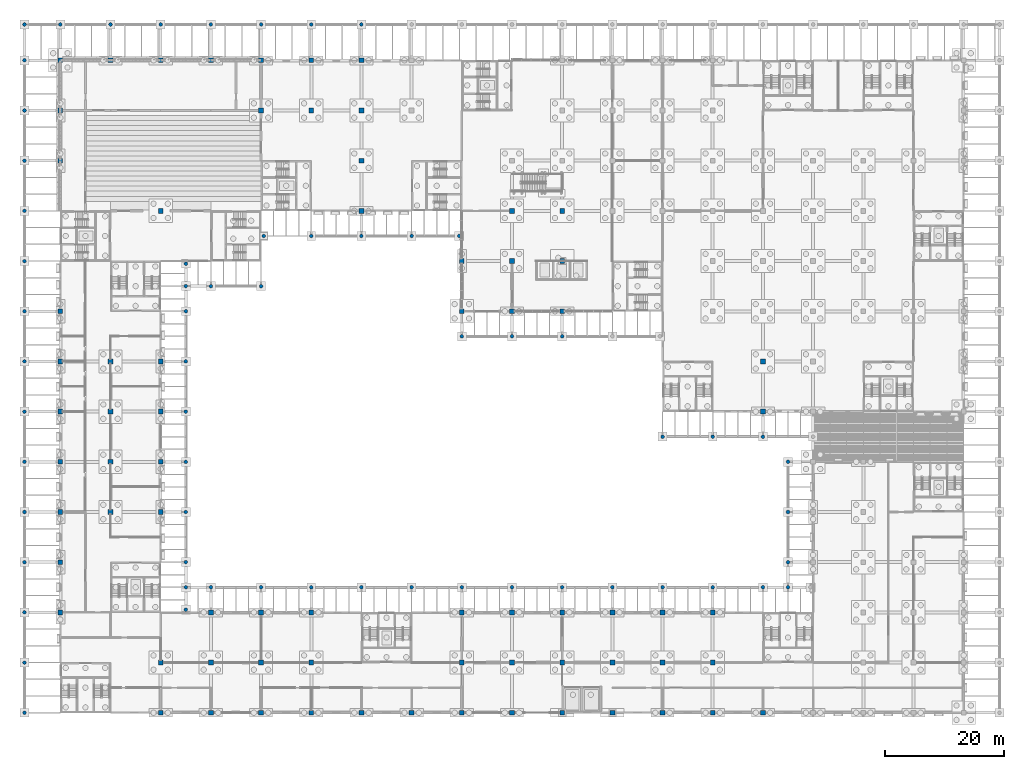
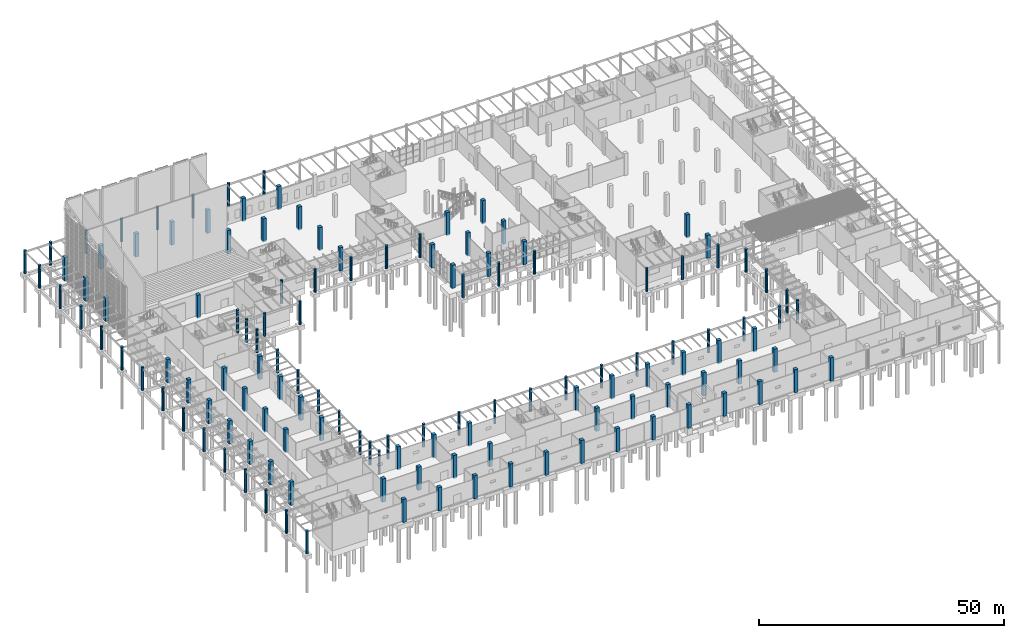
# One storey, part 6 of 82: 133 columns.
"""IFC4 building model written with IfcOpenShell, lengths in metres."""

from ifc_helpers import new_model, si_unit, direction, frame, origin, origin_2d, place, context, subcontext, project, spatial, rectangle, circle, extrude, material, material_profile, profile_set, type_object, element, save


model = new_model("IFC4")

# Units and contexts
model_context = context("Model", 3, precision=1e-05, world=origin(), true_north=direction((0.0, 1.0)))
body_context = subcontext(model_context, "Body", "Model", "MODEL_VIEW")
ifc_project = project(units=[si_unit("LENGTHUNIT", "METRE"), si_unit("AREAUNIT", "SQUARE_METRE"), si_unit("VOLUMEUNIT", "CUBIC_METRE"), si_unit("PLANEANGLEUNIT", "RADIAN"), si_unit("MASSUNIT", "GRAM", prefix="KILO")], contexts=[model_context])

# Site, building, storey
site_placement = place(None, origin())
site = spatial("IfcSite", under=ifc_project, at=site_placement, CompositionType="ELEMENT")
building_placement = place(site_placement, origin())
building = spatial("IfcBuilding", under=site, at=building_placement, Name="Almond Square Museum", CompositionType="ELEMENT")
storey_placement = place(building_placement, origin())
storey = spatial("IfcBuildingStorey", under=building, at=storey_placement, Name="L00", CompositionType="ELEMENT", Elevation=0.0)

# Columns
ifc_material_1 = material(Name="Concrete C40/50", Category="concrete")
ifc_material_profile_1 = material_profile(ifc_material_1, rectangle(XDim=0.800048828125, YDim=0.800048828125, at=origin_2d()))
ifc_profile_set_1 = profile_set([ifc_material_profile_1], Name="Concrete C40/50")
column_type_1 = type_object("IfcColumnType", Name="RC column 800 x 800 C40/50", PredefinedType="COLUMN", material=ifc_profile_set_1)
for number, where, z_axis, x_axis, name in (
    (1, (6.0, 16.800048828125, -0.300048828125), (0.0, 0.0, 1.0), (1.0, 0.0, 0.0), "Column 2-C L00"),
    (2, (6.0, 25.199951171875, -0.300048828125), (0.0, 0.0, 1.0), (1.0, 0.0, 0.0), "Column 2-D L00"),
    (3, (6.0, 33.60009765625, -0.300048828125), (0.0, 0.0, 1.0), (1.0, 0.0, 0.0), "Column 2-E L00"),
    (4, (6.0, 42.0, -0.300048828125), (0.0, 0.0, 1.0), (1.0, 0.0, 0.0), "Column 2-F L00"),
    (5, (6.0, 50.39990234375, -0.300048828125), (0.0, 0.0, 1.0), (1.0, 0.0, 0.0), "Column 2-G L00"),
    (6, (6.0, 58.800048828125, -0.300048828125), (0.0, 0.0, 1.0), (1.0, 0.0, 0.0), "Column 2-H L00"),
    (7, (6.0, 67.199951171875, -0.300048828125), (0.0, 0.0, 1.0), (1.0, 0.0, 0.0), "Column 2-I L00"),
    (8, (6.0, 92.39990234375, -0.300048828125), (0.0, 0.0, 1.0), (1.0, 0.0, 0.0), "Column 2-L L00"),
    (9, (6.0, 100.800048828125, -0.300048828125), (0.0, 0.0, 1.0), (1.0, 0.0, 0.0), "Column 2-M L00"),
    (10, (6.0, 109.199951171875, -0.300048828125), (0.0, 0.0, 1.0), (1.0, 0.0, 0.0), "Column 2-N L00"),
    (11, (14.39990234375, 33.60009765625, -0.300048828125), (0.0, 0.0, 1.0), (1.0, 0.0, 0.0), "Column 3-E L00"),
    (12, (14.39990234375, 42.0, -0.300048828125), (0.0, 0.0, 1.0), (1.0, 0.0, 0.0), "Column 3-F L00"),
    (13, (14.39990234375, 50.39990234375, -0.300048828125), (0.0, 0.0, 1.0), (1.0, 0.0, 0.0), "Column 3-G L00"),
    (14, (14.39990234375, 58.800048828125, -0.300048828125), (0.0, 0.0, 1.0), (1.0, 0.0, 0.0), "Column 3-H L00"),
    (15, (14.39990234375, 109.199951171875, -0.300048828125), (0.0, 0.0, 1.0), (1.0, 0.0, 0.0), "Column 3-N L00"),
    (16, (22.800048828125, 0.0, -0.300048828125), (0.0, 0.0, 1.0), (1.0, 0.0, 0.0), "Column 4-A L00"),
    (17, (22.800048828125, 8.39990234375, -0.300048828125), (0.0, 0.0, 1.0), (1.0, 0.0, 0.0), "Column 4-B L00"),
    (18, (22.800048828125, 33.60009765625, -0.300048828125), (0.0, 0.0, 1.0), (1.0, 0.0, 0.0), "Column 4-E L00"),
    (19, (22.800048828125, 42.0, -0.300048828125), (0.0, 0.0, 1.0), (1.0, 0.0, 0.0), "Column 4-F L00"),
    (20, (22.800048828125, 50.39990234375, -0.300048828125), (0.0, 0.0, 1.0), (1.0, 0.0, 0.0), "Column 4-G L00"),
    (21, (22.800048828125, 58.800048828125, -0.300048828125), (0.0, 0.0, 1.0), (1.0, 0.0, 0.0), "Column 4-H L00"),
    (22, (22.800048828125, 84.0, -0.300048828125), (0.0, 0.0, 1.0), (1.0, 0.0, 0.0), "Column 4-K L00"),
    (23, (22.800048828125, 109.199951171875, -0.300048828125), (0.0, 0.0, 1.0), (1.0, 0.0, 0.0), "Column 4-N L00"),
    (24, (31.199951171875, 0.0, -0.300048828125), (0.0, 0.0, 1.0), (1.0, 0.0, 0.0), "Column 5-A L00"),
    (25, (31.199951171875, 8.39990234375, -0.300048828125), (0.0, 0.0, 1.0), (1.0, 0.0, 0.0), "Column 5-B L00"),
    (26, (31.199951171875, 16.800048828125, -0.300048828125), (0.0, 0.0, 1.0), (1.0, 0.0, 0.0), "Column 5-C L00"),
    (27, (31.199951171875, 109.199951171875, -0.300048828125), (0.0, 0.0, 1.0), (1.0, 0.0, 0.0), "Column 5-N L00"),
    (28, (39.60009765625, 0.0, -0.300048828125), (0.0, 0.0, 1.0), (1.0, 0.0, 0.0), "Column 6-A L00"),
    (29, (39.60009765625, 8.39990234375, -0.300048828125), (0.0, 0.0, 1.0), (1.0, 0.0, 0.0), "Column 6-B L00"),
    (30, (39.60009765625, 16.800048828125, -0.300048828125), (0.0, 0.0, 1.0), (1.0, 0.0, 0.0), "Column 6-C L00"),
    (31, (39.60009765625, 100.800048828125, -0.300048828125), (0.0, 0.0, 1.0), (1.0, 0.0, 0.0), "Column 6-M L00"),
    (32, (39.60009765625, 109.199951171875, -0.300048828125), (0.0, 0.0, 1.0), (1.0, 0.0, 0.0), "Column 6-N L00"),
    (33, (48.0, 0.0, -0.300048828125), (0.0, 0.0, 1.0), (1.0, 0.0, 0.0), "Column 7-A L00"),
    (34, (48.0, 8.39990234375, -0.300048828125), (0.0, 0.0, 1.0), (1.0, 0.0, 0.0), "Column 7-B L00"),
    (35, (48.0, 16.800048828125, -0.300048828125), (0.0, 0.0, 1.0), (1.0, 0.0, 0.0), "Column 7-C L00"),
    (36, (48.0, 100.800048828125, -0.300048828125), (0.0, 0.0, 1.0), (1.0, 0.0, 0.0), "Column 7-M L00"),
    (37, (48.0, 109.199951171875, -0.300048828125), (0.0, 0.0, 1.0), (1.0, 0.0, 0.0), "Column 7-N L00"),
    (38, (56.39990234375, 0.0, -0.300048828125), (0.0, 0.0, 1.0), (1.0, 0.0, 0.0), "Column 8-A L00"),
    (39, (56.39990234375, 84.0, -0.300048828125), (0.0, 0.0, 1.0), (1.0, 0.0, 0.0), "Column 8-K L00"),
    (40, (56.39990234375, 92.39990234375, -0.300048828125), (0.0, 0.0, 1.0), (1.0, 0.0, 0.0), "Column 8-L L00"),
    (41, (56.39990234375, 100.800048828125, -0.300048828125), (0.0, 0.0, 1.0), (1.0, 0.0, 0.0), "Column 8-M L00"),
    (42, (56.39990234375, 109.199951171875, -0.300048828125), (0.0, 0.0, 1.0), (1.0, 0.0, 0.0), "Column 8-N L00"),
    (43, (64.800048828125, 0.0, -0.300048828125), (0.0, 0.0, 1.0), (1.0, 0.0, 0.0), "Column 9-A L00"),
    (44, (73.199951171875, 0.0, -0.300048828125), (0.0, 0.0, 1.0), (1.0, 0.0, 0.0), "Column 10-A L00"),
    (45, (73.199951171875, 8.39990234375, -0.300048828125), (0.0, 0.0, 1.0), (1.0, 0.0, 0.0), "Column 10-B L00"),
    (46, (73.199951171875, 16.800048828125, -0.300048828125), (0.0, 0.0, 1.0), (1.0, 0.0, 0.0), "Column 10-C L00"),
    (47, (73.199951171875, 67.199951171875, -0.300048828125), (0.0, 0.0, 1.0), (1.0, 0.0, 0.0), "Column 10-I L00"),
    (48, (73.199951171875, 75.60009765625, -0.300048828125), (0.0, 0.0, 1.0), (1.0, 0.0, 0.0), "Column 10-J L00"),
    (49, (81.60009765625, 0.0, -0.300048828125), (0.0, 0.0, 1.0), (1.0, 0.0, 0.0), "Column 11-A L00"),
    (50, (81.60009765625, 8.39990234375, -0.300048828125), (0.0, 0.0, 1.0), (1.0, 0.0, 0.0), "Column 11-B L00"),
    (51, (81.60009765625, 16.800048828125, -0.300048828125), (0.0, 0.0, 1.0), (1.0, 0.0, 0.0), "Column 11-C L00"),
    (52, (81.60009765625, 67.199951171875, -0.300048828125), (0.0, 0.0, 1.0), (1.0, 0.0, 0.0), "Column 11-I L00"),
    (53, (81.60009765625, 75.60009765625, -0.300048828125), (0.0, 0.0, 1.0), (1.0, 0.0, 0.0), "Column 11-J L00"),
    (54, (81.60009765625, 84.0, -0.300048828125), (0.0, 0.0, 1.0), (1.0, 0.0, 0.0), "Column 11-K L00"),
    (55, (90.0, 0.0, -0.300048828125), (0.0, 0.0, 1.0), (1.0, 0.0, 0.0), "Column 12-A L00"),
    (56, (90.0, 8.39990234375, -0.300048828125), (0.0, 0.0, 1.0), (1.0, 0.0, 0.0), "Column 12-B L00"),
    (57, (90.0, 16.800048828125, -0.300048828125), (0.0, 0.0, 1.0), (1.0, 0.0, 0.0), "Column 12-C L00"),
    (58, (90.0, 67.199951171875, -0.300048828125), (0.0, 0.0, 1.0), (1.0, 0.0, 0.0), "Column 12-I L00"),
    (59, (90.0, 75.60009765625, -0.300048828125), (0.0, 0.0, 1.0), (1.0, 0.0, 0.0), "Column 12-J L00"),
    (60, (90.0, 84.0, -0.300048828125), (0.0, 0.0, 1.0), (1.0, 0.0, 0.0), "Column 12-K L00"),
    (61, (98.39990234375, 0.0, -0.300048828125), (0.0, 0.0, 1.0), (1.0, 0.0, 0.0), "Column 13-A L00"),
    (62, (98.39990234375, 8.39990234375, -0.300048828125), (0.0, 0.0, 1.0), (1.0, 0.0, 0.0), "Column 13-B L00"),
    (63, (98.39990234375, 16.800048828125, -0.300048828125), (0.0, 0.0, 1.0), (1.0, 0.0, 0.0), "Column 13-C L00"),
    (64, (106.800048828125, 0.0, -0.300048828125), (0.0, 0.0, 1.0), (1.0, 0.0, 0.0), "Column 14-A L00"),
    (65, (106.800048828125, 8.39990234375, -0.300048828125), (0.0, 0.0, 1.0), (1.0, 0.0, 0.0), "Column 14-B L00"),
    (66, (106.800048828125, 16.800048828125, -0.300048828125), (0.0, 0.0, 1.0), (1.0, 0.0, 0.0), "Column 14-C L00"),
    (67, (115.199951171875, 0.0, -0.300048828125), (0.0, 0.0, 1.0), (1.0, 0.0, 0.0), "Column 15-A L00"),
    (68, (115.199951171875, 8.39990234375, -0.300048828125), (0.0, 0.0, 1.0), (1.0, 0.0, 0.0), "Column 15-B L00"),
    (69, (115.199951171875, 16.800048828125, -0.300048828125), (0.0, 0.0, 1.0), (1.0, 0.0, 0.0), "Column 15-C L00"),
    (70, (123.60009765625, 0.0, -0.300048828125), (0.0, 0.0, 1.0), (1.0, 0.0, 0.0), "Column 16-A L00"),
    (71, (123.60009765625, 50.39990234375, -0.300048828125), (0.0, 0.0, 1.0), (1.0, 0.0, 0.0), "Column 16-G L00"),
    (72, (123.60009765625, 58.800048828125, -0.300048828125), (0.0, 0.0, 1.0), (1.0, 0.0, 0.0), "Column 16-H L00"),
):
    element("IfcColumn", number, at=place(storey_placement, frame(where, z_axis=z_axis, x_axis=x_axis)), inside=storey, type_object=column_type_1, Name=name, PredefinedType="COLUMN", context=body_context, shape_type="SweptSolid", body=[
        extrude(rectangle(XDim=0.800048828125, YDim=0.800048828125, at=origin_2d()), origin(), (0.0, 0.0, 1.0), 5.800048828125),
    ])
ifc_material_2 = material(Name="Concrete C40/50", Category="concrete")
ifc_material_profile_2 = material_profile(ifc_material_2, circle(Radius=0.300048828125, at=origin_2d()))
ifc_profile_set_2 = profile_set([ifc_material_profile_2], Name="Concrete C40/50")
column_type_2 = type_object("IfcColumnType", Name="RC round column D600 C40/50", PredefinedType="COLUMN", material=ifc_profile_set_2)
for number, where, z_axis, x_axis, name in (
    (73, (0.0, 0.0, -0.300048828125), (0.0, 0.0, 1.0), (1.0, 0.0, 0.0), "Arcade column 1-A"),
    (74, (0.0, 8.39990234375, -0.300048828125), (0.0, 0.0, 1.0), (1.0, 0.0, 0.0), "Arcade column 1-B"),
    (75, (0.0, 16.800048828125, -0.300048828125), (0.0, 0.0, 1.0), (1.0, 0.0, 0.0), "Arcade column 1-C"),
    (76, (0.0, 25.199951171875, -0.300048828125), (0.0, 0.0, 1.0), (1.0, 0.0, 0.0), "Arcade column 1-D"),
    (77, (0.0, 33.60009765625, -0.300048828125), (0.0, 0.0, 1.0), (1.0, 0.0, 0.0), "Arcade column 1-E"),
    (78, (0.0, 42.0, -0.300048828125), (0.0, 0.0, 1.0), (1.0, 0.0, 0.0), "Arcade column 1-F"),
    (79, (0.0, 50.39990234375, -0.300048828125), (0.0, 0.0, 1.0), (1.0, 0.0, 0.0), "Arcade column 1-G"),
    (80, (0.0, 58.800048828125, -0.300048828125), (0.0, 0.0, 1.0), (1.0, 0.0, 0.0), "Arcade column 1-H"),
    (81, (0.0, 67.199951171875, -0.300048828125), (0.0, 0.0, 1.0), (1.0, 0.0, 0.0), "Arcade column 1-I"),
    (82, (0.0, 75.60009765625, -0.300048828125), (0.0, 0.0, 1.0), (1.0, 0.0, 0.0), "Arcade column 1-J"),
    (83, (0.0, 84.0, -0.300048828125), (0.0, 0.0, 1.0), (1.0, 0.0, 0.0), "Arcade column 1-K"),
    (84, (0.0, 92.39990234375, -0.300048828125), (0.0, 0.0, 1.0), (1.0, 0.0, 0.0), "Arcade column 1-L"),
    (85, (0.0, 100.800048828125, -0.300048828125), (0.0, 0.0, 1.0), (1.0, 0.0, 0.0), "Arcade column 1-M"),
    (86, (0.0, 109.199951171875, -0.300048828125), (0.0, 0.0, 1.0), (1.0, 0.0, 0.0), "Arcade column 1-N"),
    (87, (0.0, 115.199951171875, -0.300048828125), (0.0, 0.0, 1.0), (1.0, 0.0, 0.0), "Arcade column 1-O"),
    (88, (6.0, 115.199951171875, -0.300048828125), (0.0, 0.0, 1.0), (1.0, 0.0, 0.0), "Arcade column 2-O"),
    (89, (14.39990234375, 115.199951171875, -0.300048828125), (0.0, 0.0, 1.0), (1.0, 0.0, 0.0), "Arcade column 3-O"),
    (90, (22.800048828125, 115.199951171875, -0.300048828125), (0.0, 0.0, 1.0), (1.0, 0.0, 0.0), "Arcade column 4-O"),
    (91, (27.0, 17.25, -0.300048828125), (0.0, 0.0, 1.0), (1.0, 0.0, 0.0), "Loggia column COL-L00-LG-V4W-01"),
    (92, (27.0, 21.0, -0.300048828125), (0.0, 0.0, 1.0), (1.0, 0.0, 0.0), "Loggia column COL-L00-LG-V5S-02"),
    (93, (27.0, 25.199951171875, -0.300048828125), (0.0, 0.0, 1.0), (1.0, 0.0, 0.0), "Loggia column COL-L00-LG-V4W-03"),
    (94, (27.0, 33.60009765625, -0.300048828125), (0.0, 0.0, 1.0), (1.0, 0.0, 0.0), "Loggia column COL-L00-LG-V4W-04"),
    (95, (27.0, 42.0, -0.300048828125), (0.0, 0.0, 1.0), (1.0, 0.0, 0.0), "Loggia column COL-L00-LG-V4W-05"),
    (96, (27.0, 50.39990234375, -0.300048828125), (0.0, 0.0, 1.0), (1.0, 0.0, 0.0), "Loggia column COL-L00-LG-V4W-06"),
    (97, (27.0, 58.800048828125, -0.300048828125), (0.0, 0.0, 1.0), (1.0, 0.0, 0.0), "Loggia column COL-L00-LG-V4W-07"),
    (98, (27.0, 67.199951171875, -0.300048828125), (0.0, 0.0, 1.0), (1.0, 0.0, 0.0), "Loggia column COL-L00-LG-V4W-08"),
    (99, (27.0, 71.39990234375, -0.300048828125), (0.0, 0.0, 1.0), (1.0, 0.0, 0.0), "Loggia column COL-L00-LG-V3-09"),
    (100, (27.0, 75.14990234375, -0.300048828125), (0.0, 0.0, 1.0), (1.0, 0.0, 0.0), "Loggia column COL-L00-LG-V4W-10"),
    (101, (31.199951171875, 21.0, -0.300048828125), (0.0, 0.0, 1.0), (1.0, 0.0, 0.0), "Loggia column COL-L00-LG-V5S-11"),
    (102, (31.199951171875, 71.39990234375, -0.300048828125), (0.0, 0.0, 1.0), (1.0, 0.0, 0.0), "Loggia column COL-L00-LG-V3-12"),
    (103, (31.199951171875, 115.199951171875, -0.300048828125), (0.0, 0.0, 1.0), (1.0, 0.0, 0.0), "Arcade column 5-O"),
    (104, (39.60009765625, 21.0, -0.300048828125), (0.0, 0.0, 1.0), (1.0, 0.0, 0.0), "Loggia column COL-L00-LG-V5S-13"),
    (105, (39.60009765625, 71.39990234375, -0.300048828125), (0.0, 0.0, 1.0), (1.0, 0.0, 0.0), "Loggia column COL-L00-LG-V3-14"),
    (106, (39.60009765625, 115.199951171875, -0.300048828125), (0.0, 0.0, 1.0), (1.0, 0.0, 0.0), "Arcade column 6-O"),
    (107, (40.050048828125, 79.800048828125, -0.300048828125), (0.0, 0.0, 1.0), (1.0, 0.0, 0.0), "Loggia column COL-L00-LG-V4N-15"),
    (108, (48.0, 21.0, -0.300048828125), (0.0, 0.0, 1.0), (1.0, 0.0, 0.0), "Loggia column COL-L00-LG-V5S-16"),
    (109, (48.0, 79.800048828125, -0.300048828125), (0.0, 0.0, 1.0), (1.0, 0.0, 0.0), "Loggia column COL-L00-LG-V4N-17"),
    (110, (48.0, 115.199951171875, -0.300048828125), (0.0, 0.0, 1.0), (1.0, 0.0, 0.0), "Arcade column 7-O"),
    (111, (56.39990234375, 21.0, -0.300048828125), (0.0, 0.0, 1.0), (1.0, 0.0, 0.0), "Loggia column COL-L00-LG-V5S-18"),
    (112, (56.39990234375, 79.800048828125, -0.300048828125), (0.0, 0.0, 1.0), (1.0, 0.0, 0.0), "Loggia column COL-L00-LG-V4N-19"),
    (113, (56.39990234375, 115.199951171875, -0.300048828125), (0.0, 0.0, 1.0), (1.0, 0.0, 0.0), "Arcade column 8-O"),
    (114, (64.800048828125, 21.0, -0.300048828125), (0.0, 0.0, 1.0), (1.0, 0.0, 0.0), "Loggia column COL-L00-LG-V5S-20"),
    (115, (64.800048828125, 79.800048828125, -0.300048828125), (0.0, 0.0, 1.0), (1.0, 0.0, 0.0), "Loggia column COL-L00-LG-V4N-21"),
    (116, (72.75, 79.800048828125, -0.300048828125), (0.0, 0.0, 1.0), (1.0, 0.0, 0.0), "Loggia column COL-L00-LG-V4N-22"),
    (117, (73.199951171875, 21.0, -0.300048828125), (0.0, 0.0, 1.0), (1.0, 0.0, 0.0), "Loggia column COL-L00-LG-V5S-23"),
    (118, (73.199951171875, 63.0, -0.300048828125), (0.0, 0.0, 1.0), (1.0, 0.0, 0.0), "Loggia column COL-L00-LG-V2-24"),
    (119, (81.60009765625, 21.0, -0.300048828125), (0.0, 0.0, 1.0), (1.0, 0.0, 0.0), "Loggia column COL-L00-LG-V5S-25"),
    (120, (81.60009765625, 63.0, -0.300048828125), (0.0, 0.0, 1.0), (1.0, 0.0, 0.0), "Loggia column COL-L00-LG-V2-26"),
    (121, (90.0, 21.0, -0.300048828125), (0.0, 0.0, 1.0), (1.0, 0.0, 0.0), "Loggia column COL-L00-LG-V5S-27"),
    (122, (90.0, 63.0, -0.300048828125), (0.0, 0.0, 1.0), (1.0, 0.0, 0.0), "Loggia column COL-L00-LG-V2-28"),
    (123, (98.39990234375, 21.0, -0.300048828125), (0.0, 0.0, 1.0), (1.0, 0.0, 0.0), "Loggia column COL-L00-LG-V5S-29"),
    (124, (106.800048828125, 21.0, -0.300048828125), (0.0, 0.0, 1.0), (1.0, 0.0, 0.0), "Loggia column COL-L00-LG-V5S-32"),
    (125, (106.800048828125, 46.199951171875, -0.300048828125), (0.0, 0.0, 1.0), (1.0, 0.0, 0.0), "Loggia column COL-L00-LG-V1-33"),
    (126, (115.199951171875, 21.0, -0.300048828125), (0.0, 0.0, 1.0), (1.0, 0.0, 0.0), "Loggia column COL-L00-LG-V5S-34"),
    (127, (115.199951171875, 46.199951171875, -0.300048828125), (0.0, 0.0, 1.0), (1.0, 0.0, 0.0), "Loggia column COL-L00-LG-V1-35"),
    (128, (123.60009765625, 21.0, -0.300048828125), (0.0, 0.0, 1.0), (1.0, 0.0, 0.0), "Loggia column COL-L00-LG-V5S-36"),
    (129, (123.60009765625, 46.199951171875, -0.300048828125), (0.0, 0.0, 1.0), (1.0, 0.0, 0.0), "Loggia column COL-L00-LG-V1-37"),
    (130, (127.800048828125, 21.0, -0.300048828125), (0.0, 0.0, 1.0), (1.0, 0.0, 0.0), "Loggia column COL-L00-LG-V5E-38"),
    (131, (127.800048828125, 25.199951171875, -0.300048828125), (0.0, 0.0, 1.0), (1.0, 0.0, 0.0), "Loggia column COL-L00-LG-V5E-39"),
    (132, (127.800048828125, 33.60009765625, -0.300048828125), (0.0, 0.0, 1.0), (1.0, 0.0, 0.0), "Loggia column COL-L00-LG-V5E-40"),
    (133, (127.800048828125, 42.0, -0.300048828125), (0.0, 0.0, 1.0), (1.0, 0.0, 0.0), "Loggia column COL-L00-LG-V5E-41"),
):
    element("IfcColumn", number, at=place(storey_placement, frame(where, z_axis=z_axis, x_axis=x_axis)), inside=storey, type_object=column_type_2, Name=name, PredefinedType="COLUMN", context=body_context, shape_type="SweptSolid", body=[
        extrude(circle(Radius=0.300048828125, at=origin_2d()), origin(), (0.0, 0.0, 1.0), 5.800048828125),
    ])

save(model, "model.ifc")
